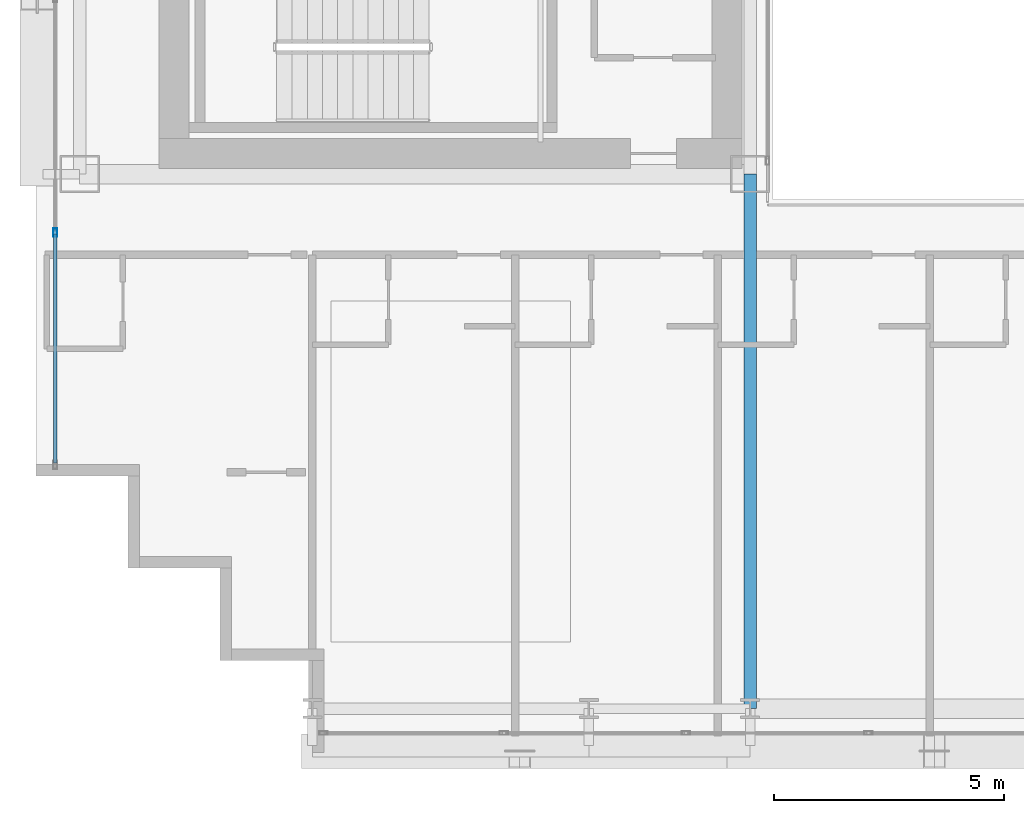
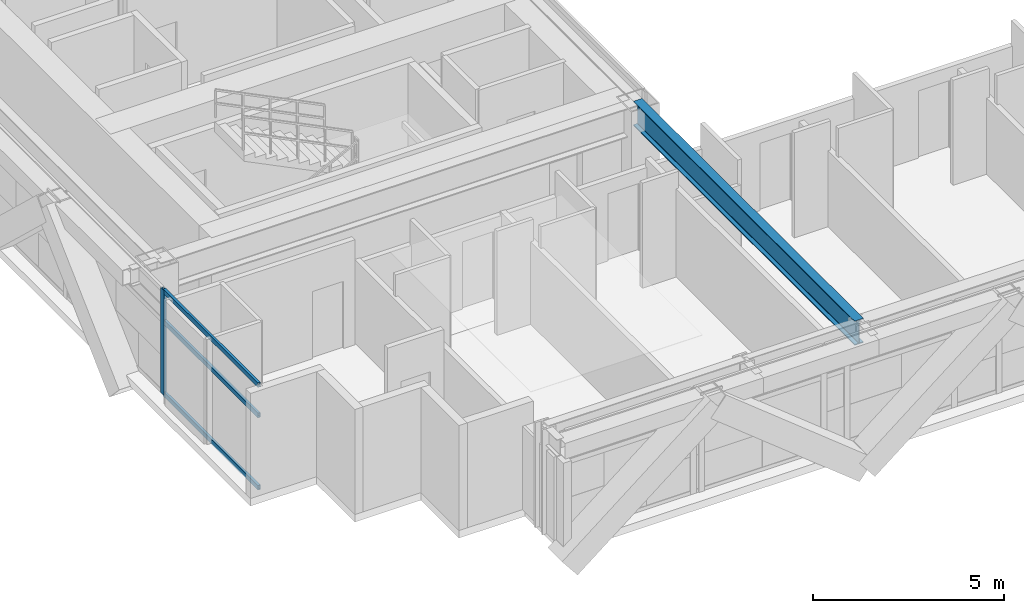
# One storey, part 3 of 39: 4 members, 1 beam, 1 element without a shape of its own.
"""IFC4 building model written with IfcOpenShell, lengths in metres."""

from ifc_helpers import new_model, si_unit, direction, frame, origin, origin_2d, place, context, subcontext, project, spatial, hollow_rectangle, i_section, extrude, source, transform, mapped, material, layer, layer_set, material_profile, profile_set, type_object, element, aggregate, save


model = new_model("IFC4")

# Units and contexts
model_context = context("Model", 3, precision=1e-05, world=origin(), true_north=direction((0.0, 1.0)))
body_context = subcontext(model_context, "Body", "Model", "MODEL_VIEW")
ifc_project = project(units=[si_unit("LENGTHUNIT", "METRE"), si_unit("AREAUNIT", "SQUARE_METRE"), si_unit("VOLUMEUNIT", "CUBIC_METRE"), si_unit("PLANEANGLEUNIT", "RADIAN"), si_unit("MASSUNIT", "GRAM", prefix="KILO")], contexts=[model_context])

# Site, building, storey
site_placement = place(None, origin())
site = spatial("IfcSite", under=ifc_project, at=site_placement, CompositionType="ELEMENT")
building_placement = place(site_placement, origin())
building = spatial("IfcBuilding", under=site, at=building_placement, Name="Ocotamira Hotel", CompositionType="ELEMENT")
storey_placement = place(building_placement, frame((0.0, 0.0, 104.39990234375)))
storey = spatial("IfcBuildingStorey", under=building, at=storey_placement, Name="L25", CompositionType="ELEMENT", Elevation=104.39990234375)

# Beam
ifc_material_1 = material(Name="Steel ASTM A992 Grade 50", Category="steel")
ifc_material_profile_1 = material_profile(ifc_material_1, i_section(OverallWidth=0.26611328125, OverallDepth=0.779052734375, WebThickness=0.0166015625, FlangeThickness=0.030029296875, FilletRadius=0.01806640625, at=origin_2d()), Name="W30X148")
ifc_profile_set_1 = profile_set([ifc_material_profile_1], Name="Steel ASTM A992 Grade 50")
beam_type = type_object("IfcBeamType", Name="BM-GIRD-W30X148", PredefinedType="BEAM", material=ifc_profile_set_1)
shared_shape_1 = source(origin(), body_context, "Body", "SweptSolid", [
    extrude(i_section(OverallWidth=0.26611328125, OverallDepth=0.779052734375, WebThickness=0.0166015625, FlangeThickness=0.030029296875, FilletRadius=0.01806640625, at=origin_2d()), origin(), (0.0, 0.0, 1.0), 11.60009765625),
])
beam_placement = place(storey_placement, frame((23.5, 2.949951171875, 2.970703125), z_axis=(0.0, 1.0, 0.0), x_axis=(-1.0, 0.0, 0.0)))
element("IfcBeam", 1, at=beam_placement, inside=storey, type_object=beam_type, Name="L25 Beam X23.5 Y2.95-14.55", PredefinedType="BEAM", context=body_context, shape_type="MappedRepresentation", body=[
    mapped(shared_shape_1, transform((0.0, 0.0, 0.0), scale=1.0)),
])

# Curtain wall, members
ifc_material_2 = material(Name="Anodised pale-metal aluminium and solar glass", Category="aluminium")
ifc_layer = layer(ifc_material_2, 0.179931640625)
ifc_layer_set = layer_set([ifc_layer], Name="Anodised pale-metal aluminium and solar glass")
curtain_wall_type = type_object("IfcCurtainWallType", Name="CW-SYS3-Z2", PredefinedType="NOTDEFINED", material=ifc_layer_set)
curtain_wall_placement = place(storey_placement, origin())
curtain_wall = element("IfcCurtainWall", 2, at=curtain_wall_placement, inside=storey, type_object=curtain_wall_type, Name="L25 Curtain Wall CW-3 CW-L25-W", PredefinedType="NOTDEFINED")
ifc_material_3 = material(Name="Anodised pale-metal aluminium 6063-T6", Category="aluminium")
ifc_material_profile_2 = material_profile(ifc_material_3, hollow_rectangle(XDim=0.074951171875, YDim=0.14990234375, WallThickness=0.006103515625, at=origin_2d()), Name="HSS150X75X6")
ifc_profile_set_2 = profile_set([ifc_material_profile_2], Name="Anodised pale-metal aluminium 6063-T6")
member_type_1 = type_object("IfcMemberType", Name="CWT-150X75", PredefinedType="USERDEFINED", material=ifc_profile_set_2)
shared_shape_2 = source(origin(), body_context, "Body", "SweptSolid", [
    extrude(hollow_rectangle(XDim=0.074951171875, YDim=0.14990234375, WallThickness=0.006103515625, at=origin_2d()), origin(), (0.0, 0.0, 1.0), 4.965576171875),
])
member_1_placement = place(storey_placement, frame((8.419921875, 8.280029296875, 0.03759765625), z_axis=(0.0, 1.0, 0.0), x_axis=(-1.0, 0.0, 0.0)))
member_1 = element("IfcMember", 3, at=member_1_placement, type_object=member_type_1, Name="CW-3 transom 1.1", ObjectType="TRANSOM", PredefinedType="USERDEFINED", context=body_context, shape_type="MappedRepresentation", body=[
    mapped(shared_shape_2, transform((0.0, 0.0, 0.0), scale=1.0)),
])
member_2_placement = place(storey_placement, frame((8.419921875, 8.280029296875, 2.35009765625), z_axis=(0.0, 1.0, 0.0), x_axis=(-1.0, 0.0, 0.0)))
member_2 = element("IfcMember", 4, at=member_2_placement, type_object=member_type_1, Name="CW-3 transom 1.2", ObjectType="TRANSOM", PredefinedType="USERDEFINED", context=body_context, shape_type="MappedRepresentation", body=[
    mapped(shared_shape_2, transform((0.0, 0.0, 0.0), scale=1.0)),
])
member_3_placement = place(storey_placement, frame((8.419921875, 8.280029296875, 3.322509765625), z_axis=(0.0, 1.0, 0.0), x_axis=(-1.0, 0.0, 0.0)))
member_3 = element("IfcMember", 5, at=member_3_placement, type_object=member_type_1, Name="CW-3 transom 1.3", ObjectType="TRANSOM", PredefinedType="USERDEFINED", context=body_context, shape_type="MappedRepresentation", body=[
    mapped(shared_shape_2, transform((0.0, 0.0, 0.0), scale=1.0)),
])
ifc_material_profile_3 = material_profile(ifc_material_3, hollow_rectangle(XDim=0.080078125, YDim=0.179931640625, WallThickness=0.006103515625, at=origin_2d()), Name="HSS180X80X6")
ifc_profile_set_3 = profile_set([ifc_material_profile_3], Name="Anodised pale-metal aluminium 6063-T6")
member_type_2 = type_object("IfcMemberType", Name="CWM-180X75", PredefinedType="MULLION", material=ifc_profile_set_3)
shared_shape_3 = source(origin(), body_context, "Body", "SweptSolid", [
    extrude(hollow_rectangle(XDim=0.080078125, YDim=0.179931640625, WallThickness=0.006103515625, at=origin_2d()), origin(), (0.0, 0.0, 1.0), 3.360107421875),
])
member_4_placement = place(storey_placement, frame((8.419921875, 13.28564453125, 0.0), z_axis=(0.0, 0.0, 1.0), x_axis=(-1.0, 0.0, 0.0)))
member_4 = element("IfcMember", 6, at=member_4_placement, type_object=member_type_2, Name="CW-3 mullion 2", PredefinedType="MULLION", context=body_context, shape_type="MappedRepresentation", body=[
    mapped(shared_shape_3, transform((0.0, 0.0, 0.0), scale=1.0)),
])
aggregate(curtain_wall, [member_4, member_1, member_2, member_3])

save(model, "model.ifc")
